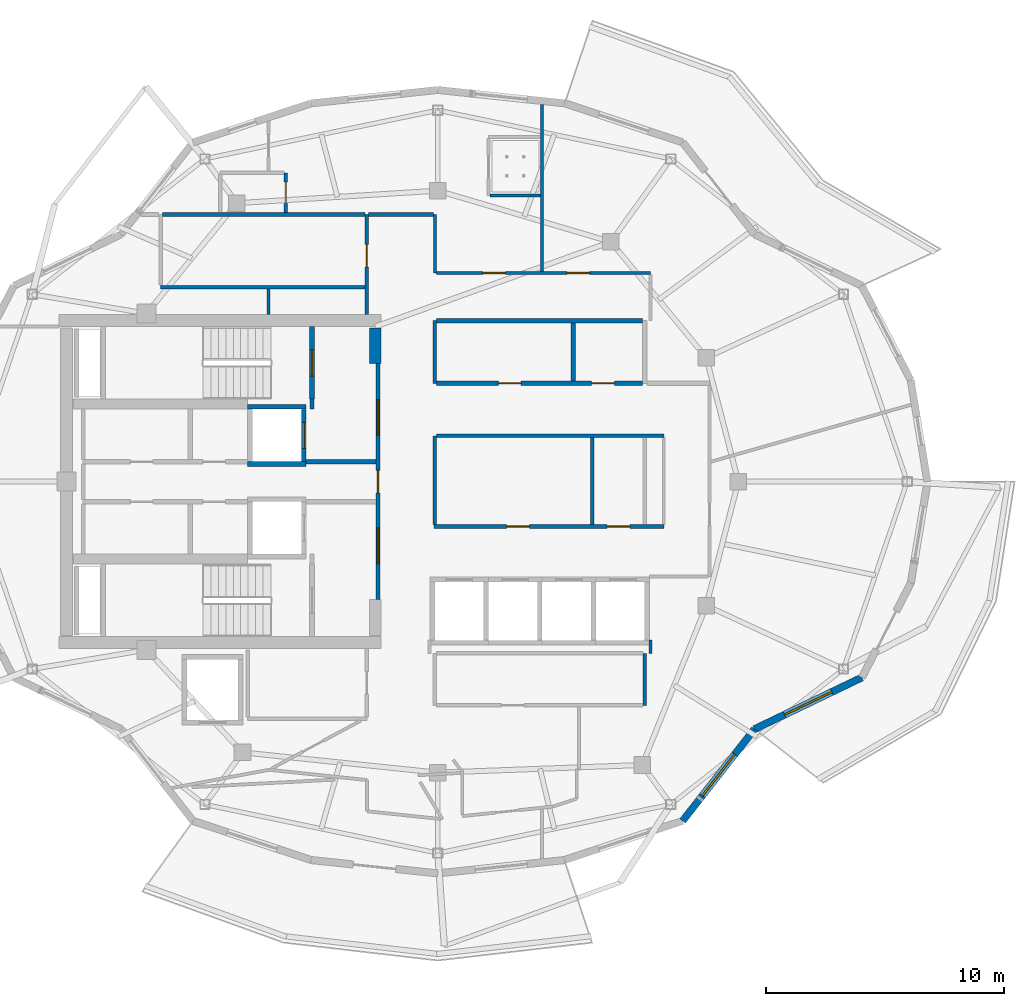
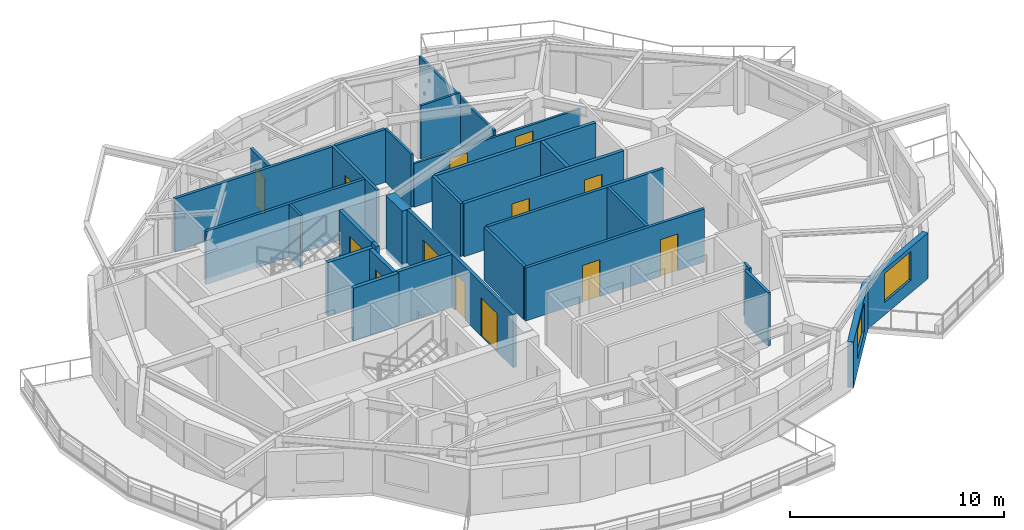
# One storey, part 5 of 11: 30 walls, 13 doors, 2 windows, 15 openings.
"""IFC4 building model written with IfcOpenShell, lengths in metres."""

from ifc_helpers import new_model, si_unit, direction, frame, frame_2d, origin, place, context, subcontext, project, spatial, rectangle, extrude, material, layer, layer_set, type_object, element, fill, save


model = new_model("IFC4")

# Units and contexts
model_context = context("Model", 3, precision=1e-05, world=origin(), true_north=direction((0.0, 1.0)))
body_context = subcontext(model_context, "Body", "Model", "MODEL_VIEW")
ifc_project = project(units=[si_unit("LENGTHUNIT", "METRE"), si_unit("AREAUNIT", "SQUARE_METRE"), si_unit("VOLUMEUNIT", "CUBIC_METRE"), si_unit("PLANEANGLEUNIT", "RADIAN"), si_unit("MASSUNIT", "GRAM", prefix="KILO")], contexts=[model_context])

# Site, building, storey
site_placement = place(None, origin())
site = spatial("IfcSite", under=ifc_project, at=site_placement, CompositionType="ELEMENT")
building_placement = place(site_placement, origin())
building = spatial("IfcBuilding", under=site, at=building_placement, Name="Kolvaren Gate Tower and Convention Centre", CompositionType="ELEMENT")
storey_placement = place(building_placement, frame((0.0, 0.0, 269.0)))
storey = spatial("IfcBuildingStorey", under=building, at=storey_placement, Name="L73", CompositionType="ELEMENT", Elevation=269.0)

# Wall
ifc_material_1 = material(Name="Autoclaved Aerated Masonry Blockwork Class 4 (4.0 MPa)", Category="masonry")
ifc_layer_1 = layer(ifc_material_1, 0.179931640625)
ifc_layer_set_1 = layer_set([ifc_layer_1], Name="Autoclaved Aerated Masonry Blockwork Class 4 (4.0 MPa)")
wall_type_1 = type_object("IfcWallType", Name="ARCH-WL-COMP-180", PredefinedType="SOLIDWALL", material=ifc_layer_set_1)
wall_1_placement = place(storey_placement, frame((24.85009765625, 30.0400390625, 0.0), z_axis=(0.0, 0.0, 1.0), x_axis=(0.0, 1.0, 0.0)))
element("IfcWall", 1, at=wall_1_placement, inside=storey, type_object=wall_type_1, Name="Interior Partition WL-L73-INT-002", PredefinedType="SOLIDWALL", context=body_context, shape_type="SweptSolid", body=[
    extrude(rectangle(XDim=0.419921875, YDim=0.179931640625, at=frame_2d((0.2099609375, 0.0))), origin(), (0.0, 0.0, 1.0), 3.030029296875),
])

# Wall, openings, doors
wall_2_placement = place(storey_placement, frame((27.6201171875, 22.050048828125, 0.0), z_axis=(0.0, 0.0, 1.0), x_axis=(0.0, 1.0, 0.0)))
wall_2 = element("IfcWall", 2, at=wall_2_placement, inside=storey, type_object=wall_type_1, Name="Interior Partition WL-L73-INT-003", PredefinedType="SOLIDWALL", context=body_context, shape_type="SweptSolid", body=[
    extrude(rectangle(XDim=9.89990234375, YDim=0.179931640625, at=frame_2d((4.949951171875, 0.0))), origin(), (0.0, 0.0, 1.0), 3.030029296875),
])
opening_1_placement = place(wall_2_placement, frame((4.47509765625, 0.0, 0.0)))
opening_1 = element("IfcOpeningElement", 3, at=opening_1_placement, cuts=wall_2, Name="Opening DR-01", PredefinedType="OPENING", context=body_context, shape_type="SweptSolid", body=[
    extrude(rectangle(XDim=0.949951171875, YDim=2.10009765625, at=frame_2d((0.47509765625, 1.050048828125))), frame((0.0, 0.099853515625, 0.0), z_axis=(0.0, -1.0, 0.0), x_axis=(1.0, 0.0, 0.0)), (0.0, 0.0, 1.0), 0.199951171875),
])
opening_2_placement = place(wall_2_placement, frame((6.889892578125, 0.0, 0.0)))
opening_2 = element("IfcOpeningElement", 4, at=opening_2_placement, cuts=wall_2, Name="Opening DL-01", PredefinedType="OPENING", context=body_context, shape_type="SweptSolid", body=[
    extrude(rectangle(XDim=1.5, YDim=2.199951171875, at=frame_2d((0.75, 1.10009765625))), frame((0.0, 0.099853515625, 0.0), z_axis=(0.0, -1.0, 0.0), x_axis=(1.0, 0.0, 0.0)), (0.0, 0.0, 1.0), 0.199951171875),
])
opening_3_placement = place(wall_2_placement, frame((1.510009765625, 0.0, 0.0)))
opening_3 = element("IfcOpeningElement", 5, at=opening_3_placement, cuts=wall_2, Name="Opening DL-01", PredefinedType="OPENING", context=body_context, shape_type="SweptSolid", body=[
    extrude(rectangle(XDim=1.5, YDim=2.199951171875, at=frame_2d((0.75, 1.10009765625))), frame((0.0, 0.099853515625, 0.0), z_axis=(0.0, -1.0, 0.0), x_axis=(1.0, 0.0, 0.0)), (0.0, 0.0, 1.0), 0.199951171875),
])
ifc_material_2 = material(Name="Painted Architectural Steelwork ASTM A500 Grade C 345 MPa", Category="steel")
door_type_1 = type_object("IfcDoorType", Name="ARCH-DR-LOBBY-1500", OperationType="DOUBLE_DOOR_SINGLE_SWING", PredefinedType="DOOR", material=ifc_material_2)
door_1_placement = place(opening_2_placement, origin())
door_1 = element("IfcDoor", 6, at=door_1_placement, inside=storey, type_object=door_type_1, Name="North Firefighting Stair and Lift Lobby Door", OperationType="DOUBLE_DOOR_SINGLE_SWING", OverallHeight=2.199951171875, OverallWidth=1.5, PredefinedType="DOOR", context=body_context, shape_type="SweptSolid", body=[
    extrude(rectangle(XDim=1.5, YDim=2.199951171875, at=frame_2d((0.75, 1.10009765625))), frame((0.0, 0.02490234375, 0.0), z_axis=(0.0, -1.0, 0.0), x_axis=(1.0, 0.0, 0.0)), (0.0, 0.0, 1.0), 0.050048828125),
])
fill(opening_2, door_1)
door_2_placement = place(opening_3_placement, origin())
door_2 = element("IfcDoor", 7, at=door_2_placement, inside=storey, type_object=door_type_1, Name="South Firefighting Stair and Lift Lobby Door", OperationType="DOUBLE_DOOR_SINGLE_SWING", OverallHeight=2.199951171875, OverallWidth=1.5, PredefinedType="DOOR", context=body_context, shape_type="SweptSolid", body=[
    extrude(rectangle(XDim=1.5, YDim=2.199951171875, at=frame_2d((0.75, 1.10009765625))), frame((0.0, 0.02490234375, 0.0), z_axis=(0.0, -1.0, 0.0), x_axis=(1.0, 0.0, 0.0)), (0.0, 0.0, 1.0), 0.050048828125),
])
fill(opening_3, door_2)
door_type_2 = type_object("IfcDoorType", Name="ARCH-DR-RISER-950", OperationType="SINGLE_SWING_RIGHT", PredefinedType="DOOR", material=ifc_material_2)
door_3_placement = place(opening_1_placement, origin())
door_3 = element("IfcDoor", 8, at=door_3_placement, inside=storey, type_object=door_type_2, Name="Central MEP Service Corridor Door", OperationType="SINGLE_SWING_LEFT", OverallHeight=2.10009765625, OverallWidth=0.949951171875, PredefinedType="DOOR", context=body_context, shape_type="SweptSolid", body=[
    extrude(rectangle(XDim=0.949951171875, YDim=2.10009765625, at=frame_2d((0.47509765625, 1.050048828125))), frame((0.0, 0.02490234375, 0.0), z_axis=(0.0, -1.0, 0.0), x_axis=(1.0, 0.0, 0.0)), (0.0, 0.0, 1.0), 0.050048828125),
])
fill(opening_1, door_3)

# Wall
wall_3_placement = place(storey_placement, frame((24.60009765625, 27.840087890625, 0.0), z_axis=(0.0, 0.0, 1.0), x_axis=(1.0, 0.0, 0.0)))
element("IfcWall", 9, at=wall_3_placement, inside=storey, type_object=wall_type_1, Name="Interior Partition WL-L73-INT-004 (2)", PredefinedType="SOLIDWALL", context=body_context, shape_type="SweptSolid", body=[
    extrude(rectangle(XDim=2.927978515625, YDim=0.179931640625, at=frame_2d((1.4638671875, 0.0))), origin(), (0.0, 0.0, 1.0), 3.030029296875),
])

# Wall, openings, doors
wall_4_placement = place(storey_placement, frame((30.076904296875, 31.1201171875, 0.0), z_axis=(0.0, 0.0, 1.0), x_axis=(1.0, 0.0, 0.0)))
wall_4 = element("IfcWall", 10, at=wall_4_placement, inside=storey, type_object=wall_type_1, Name="Interior Partition WL-L73-INT-024", PredefinedType="SOLIDWALL", context=body_context, shape_type="SweptSolid", body=[
    extrude(rectangle(XDim=8.631103515625, YDim=0.179931640625, at=frame_2d((4.3154296875, 0.0))), origin(), (0.0, 0.0, 1.0), 3.030029296875),
])
opening_4_placement = place(wall_4_placement, frame((2.591552734375, 0.0, 0.0)))
opening_4 = element("IfcOpeningElement", 11, at=opening_4_placement, cuts=wall_4, Name="Opening DR-01", PredefinedType="OPENING", context=body_context, shape_type="SweptSolid", body=[
    extrude(rectangle(XDim=0.949951171875, YDim=2.10009765625, at=frame_2d((0.47509765625, 1.050048828125))), frame((0.0, 0.099853515625, 0.0), z_axis=(0.0, -1.0, 0.0), x_axis=(1.0, 0.0, 0.0)), (0.0, 0.0, 1.0), 0.199951171875),
])
opening_5_placement = place(wall_4_placement, frame((6.4970703125, 0.0, 0.0)))
opening_5 = element("IfcOpeningElement", 12, at=opening_5_placement, cuts=wall_4, Name="Opening DR-01", PredefinedType="OPENING", context=body_context, shape_type="SweptSolid", body=[
    extrude(rectangle(XDim=0.949951171875, YDim=2.10009765625, at=frame_2d((0.47509765625, 1.050048828125))), frame((0.0, 0.099853515625, 0.0), z_axis=(0.0, -1.0, 0.0), x_axis=(1.0, 0.0, 0.0)), (0.0, 0.0, 1.0), 0.199951171875),
])
door_4_placement = place(opening_4_placement, origin())
door_4 = element("IfcDoor", 13, at=door_4_placement, inside=storey, type_object=door_type_2, Name="Steward Supply Store Door", OperationType="SINGLE_SWING_LEFT", OverallHeight=2.10009765625, OverallWidth=0.949951171875, PredefinedType="DOOR", context=body_context, shape_type="SweptSolid", body=[
    extrude(rectangle(XDim=0.949951171875, YDim=2.10009765625, at=frame_2d((0.47509765625, 1.050048828125))), frame((0.0, 0.02490234375, 0.0), z_axis=(0.0, -1.0, 0.0), x_axis=(1.0, 0.0, 0.0)), (0.0, 0.0, 1.0), 0.050048828125),
])
fill(opening_4, door_4)
door_5_placement = place(opening_5_placement, origin())
door_5 = element("IfcDoor", 14, at=door_5_placement, inside=storey, type_object=door_type_2, Name="Floor Telecom Switch Room Door", OperationType="SINGLE_SWING_RIGHT", OverallHeight=2.10009765625, OverallWidth=0.949951171875, PredefinedType="DOOR", context=body_context, shape_type="SweptSolid", body=[
    extrude(rectangle(XDim=0.949951171875, YDim=2.10009765625, at=frame_2d((0.47509765625, 1.050048828125))), frame((0.0, 0.02490234375, 0.0), z_axis=(0.0, -1.0, 0.0), x_axis=(1.0, 0.0, 0.0)), (0.0, 0.0, 1.0), 0.050048828125),
])
fill(opening_5, door_5)

# Walls
wall_5_placement = place(storey_placement, frame((30.076904296875, 33.75, 0.0), z_axis=(0.0, 0.0, 1.0), x_axis=(1.0, 0.0, 0.0)))
element("IfcWall", 15, at=wall_5_placement, inside=storey, type_object=wall_type_1, Name="Interior Partition WL-L73-INT-025", PredefinedType="SOLIDWALL", context=body_context, shape_type="SweptSolid", body=[
    extrude(rectangle(XDim=8.631103515625, YDim=0.179931640625, at=frame_2d((4.3154296875, 0.0))), origin(), (0.0, 0.0, 1.0), 3.030029296875),
])
wall_6_placement = place(storey_placement, frame((35.800048828125, 31.2119140625, 0.0), z_axis=(0.0, 0.0, 1.0), x_axis=(0.0, 1.0, 0.0)))
element("IfcWall", 16, at=wall_6_placement, inside=storey, type_object=wall_type_1, Name="Interior Partition WL-L73-INT-026", PredefinedType="SOLIDWALL", context=body_context, shape_type="SweptSolid", body=[
    extrude(rectangle(XDim=2.446044921875, YDim=0.179931640625, at=frame_2d((1.22314453125, 0.0))), origin(), (0.0, 0.0, 1.0), 3.030029296875),
])
ifc_material_3 = material(Name="Fire-Rated Acoustic Gypsum Stud Partition", Category="gypsum")
ifc_layer_2 = layer(ifc_material_3, 0.1201171875)
ifc_layer_set_2 = layer_set([ifc_layer_2], Name="Fire-Rated Acoustic Gypsum Stud Partition")
wall_type_2 = type_object("IfcWallType", Name="ARCH-WL-PART-120", PredefinedType="PARTITIONING", material=ifc_layer_set_2)
wall_7_placement = place(storey_placement, frame((30.0, 35.75, 0.0), z_axis=(0.0, 0.0, 1.0), x_axis=(0.0, 1.0, 0.0)))
element("IfcWall", 17, at=wall_7_placement, inside=storey, type_object=wall_type_2, Name="Interior Partition WL-L73-INT-018", PredefinedType="PARTITIONING", context=body_context, shape_type="SweptSolid", body=[
    extrude(rectangle(XDim=2.449951171875, YDim=0.1201171875, at=frame_2d((1.22509765625, 0.0))), origin(), (0.0, 0.0, 1.0), 3.030029296875),
])

# Wall, openings, doors
wall_8_placement = place(storey_placement, frame((30.06201171875, 35.75, 0.0), z_axis=(0.0, 0.0, 1.0), x_axis=(1.0, 0.0, 0.0)))
wall_8 = element("IfcWall", 18, at=wall_8_placement, inside=storey, type_object=wall_type_2, Name="Interior Partition WL-L73-INT-032", PredefinedType="PARTITIONING", context=body_context, shape_type="SweptSolid", body=[
    extrude(rectangle(XDim=8.988037109375, YDim=0.1201171875, at=frame_2d((4.494140625, 0.0))), origin(), (0.0, 0.0, 1.0), 2.47802734375),
])
opening_6_placement = place(wall_8_placement, frame((5.472900390625, 0.0, 0.0)))
opening_6 = element("IfcOpeningElement", 19, at=opening_6_placement, cuts=wall_8, Name="Opening DR-01", PredefinedType="OPENING", context=body_context, shape_type="SweptSolid", body=[
    extrude(rectangle(XDim=0.949951171875, YDim=2.10009765625, at=frame_2d((0.47509765625, 1.050048828125))), frame((0.0, 0.070068359375, 0.0), z_axis=(0.0, -1.0, 0.0), x_axis=(1.0, 0.0, 0.0)), (0.0, 0.0, 1.0), 0.14013671875),
])
opening_7_placement = place(wall_8_placement, frame((1.948974609375, 0.0, 0.0)))
opening_7 = element("IfcOpeningElement", 20, at=opening_7_placement, cuts=wall_8, Name="Opening DR-01", PredefinedType="OPENING", context=body_context, shape_type="SweptSolid", body=[
    extrude(rectangle(XDim=0.949951171875, YDim=2.10009765625, at=frame_2d((0.47509765625, 1.050048828125))), frame((0.0, 0.070068359375, 0.0), z_axis=(0.0, -1.0, 0.0), x_axis=(1.0, 0.0, 0.0)), (0.0, 0.0, 1.0), 0.14013671875),
])
door_6_placement = place(opening_6_placement, origin())
door_6 = element("IfcDoor", 21, at=door_6_placement, inside=storey, type_object=door_type_2, Name="Resident Private Study and Home Office Door", OperationType="SINGLE_SWING_RIGHT", OverallHeight=2.10009765625, OverallWidth=0.949951171875, PredefinedType="DOOR", context=body_context, shape_type="SweptSolid", body=[
    extrude(rectangle(XDim=0.949951171875, YDim=2.10009765625, at=frame_2d((0.47509765625, 1.050048828125))), frame((0.0, 0.02490234375, 0.0), z_axis=(0.0, -1.0, 0.0), x_axis=(1.0, 0.0, 0.0)), (0.0, 0.0, 1.0), 0.050048828125),
])
fill(opening_6, door_6)
door_7_placement = place(opening_7_placement, origin())
door_7 = element("IfcDoor", 22, at=door_7_placement, inside=storey, type_object=door_type_2, Name="Sky Villa Living and Dining Room (APT-L73-01) Door", OperationType="SINGLE_SWING_LEFT", OverallHeight=2.10009765625, OverallWidth=0.949951171875, PredefinedType="DOOR", context=body_context, shape_type="SweptSolid", body=[
    extrude(rectangle(XDim=0.949951171875, YDim=2.10009765625, at=frame_2d((0.47509765625, 1.050048828125))), frame((0.0, 0.02490234375, 0.0), z_axis=(0.0, -1.0, 0.0), x_axis=(1.0, 0.0, 0.0)), (0.0, 0.0, 1.0), 0.050048828125),
])
fill(opening_7, door_7)

# Walls
wall_9_placement = place(storey_placement, frame((39.050048828125, 19.800048828125, 0.0), z_axis=(0.0, 0.0, 1.0), x_axis=(0.0, 1.0, 0.0)))
element("IfcWall", 23, at=wall_9_placement, inside=storey, type_object=wall_type_2, Name="Interior Partition WL-L73-INT-033", PredefinedType="PARTITIONING", context=body_context, shape_type="SweptSolid", body=[
    extrude(rectangle(XDim=0.56005859375, YDim=0.1201171875, at=frame_2d((0.280029296875, 0.0))), origin(), (0.0, 0.0, 1.0), 3.030029296875),
])
wall_10_placement = place(storey_placement, frame((34.5, 35.81201171875, 0.0), z_axis=(0.0, 0.0, 1.0), x_axis=(0.0, 1.0, 0.0)))
element("IfcWall", 24, at=wall_10_placement, inside=storey, type_object=wall_type_2, Name="Interior Partition WL-L73-INT-054", PredefinedType="PARTITIONING", context=body_context, shape_type="SweptSolid", body=[
    extrude(rectangle(XDim=6.999267578125, YDim=0.1201171875, at=frame_2d((3.49951171875, 0.0))), origin(), (0.0, 0.0, 1.0), 2.77001953125),
])
wall_11_placement = place(storey_placement, frame((32.31201171875, 39.0, 0.0), z_axis=(0.0, 0.0, 1.0), x_axis=(1.0, 0.0, 0.0)))
element("IfcWall", 25, at=wall_11_placement, inside=storey, type_object=wall_type_2, Name="Interior Partition WL-L73-INT-058", PredefinedType="PARTITIONING", context=body_context, shape_type="SweptSolid", body=[
    extrude(rectangle(XDim=2.1259765625, YDim=0.1201171875, at=frame_2d((1.06298828125, 0.0))), origin(), (0.0, 0.0, 1.0), 3.030029296875),
])
wall_12_placement = place(storey_placement, frame((23.02392578125, 34.001953125, 0.0), z_axis=(0.0, 0.0, 1.0), x_axis=(0.0, 1.0, 0.0)))
element("IfcWall", 26, at=wall_12_placement, inside=storey, type_object=wall_type_2, Name="Interior Partition WL-L73-INT-061", PredefinedType="PARTITIONING", context=body_context, shape_type="SweptSolid", body=[
    extrude(rectangle(XDim=1.0810546875, YDim=0.1201171875, at=frame_2d((0.54052734375, 0.0))), origin(), (0.0, 0.0, 1.0), 3.030029296875),
])
ifc_layer_3 = layer(ifc_material_1, 0.199951171875)
ifc_layer_set_3 = layer_set([ifc_layer_3], Name="Autoclaved Aerated Masonry Blockwork Class 4 (4.0 MPa)")
wall_type_3 = type_object("IfcWallType", Name="ARCH-WL-SHAFT-200", PredefinedType="SOLIDWALL", material=ifc_layer_set_3)
for number, where, z_axis, x_axis, name in (
    (27, (22.14990234375, 30.139892578125, 0.0), (0.0, 0.0, 1.0), (1.0, 0.0, 0.0), "Elevator FF-01 L73 Fire Shaft Wall N"),
    (28, (22.14990234375, 27.739990234375, 0.0), (0.0, 0.0, 1.0), (1.0, 0.0, 0.0), "Elevator FF-01 L73 Fire Shaft Wall S"),
):
    element("IfcWall", number, at=place(storey_placement, frame(where, z_axis=z_axis, x_axis=x_axis)), inside=storey, type_object=wall_type_3, Name=name, PredefinedType="SOLIDWALL", context=body_context, shape_type="SweptSolid", body=[
        extrude(rectangle(XDim=2.4501953125, YDim=0.199951171875, at=frame_2d((1.22509765625, 0.0))), origin(), (0.0, 0.0, 1.0), 3.030029296875),
    ])

# Wall, opening, door
wall_13_placement = place(storey_placement, frame((24.5, 27.85009765625, 0.0), z_axis=(0.0, 0.0, 1.0), x_axis=(0.0, 1.0, 0.0)))
wall_13 = element("IfcWall", 29, at=wall_13_placement, inside=storey, type_object=wall_type_3, Name="Elevator FF-01 L73 Fire Shaft Wall E", PredefinedType="SOLIDWALL", context=body_context, shape_type="SweptSolid", body=[
    extrude(rectangle(XDim=2.179931640625, YDim=0.199951171875, at=frame_2d((1.08984375, 0.0))), origin(), (0.0, 0.0, 1.0), 3.030029296875),
])
opening_8_placement = place(wall_13_placement, frame((0.5400390625, 0.0, 0.0)))
opening_8 = element("IfcOpeningElement", 30, at=opening_8_placement, cuts=wall_13, Name="Opening LD", PredefinedType="OPENING", context=body_context, shape_type="SweptSolid", body=[
    extrude(rectangle(XDim=1.10009765625, YDim=2.199951171875, at=frame_2d((0.550048828125, 1.10009765625))), frame((0.0, 0.10986328125, 0.0), z_axis=(0.0, -1.0, 0.0), x_axis=(1.0, 0.0, 0.0)), (0.0, 0.0, 1.0), 0.219970703125),
])
ifc_material_4 = material(Name="Brushed Stainless Steel Grade 316L", Category="steel")
door_type_3 = type_object("IfcDoorType", Name="ARCH-DR-LIFT-1100", OperationType="SLIDING_TO_LEFT", PredefinedType="DOOR", material=ifc_material_4)
door_8_placement = place(opening_8_placement, origin())
door_8 = element("IfcDoor", 31, at=door_8_placement, inside=storey, type_object=door_type_3, Name="Elevator FF-01 L73 Sliding Landing Door", OperationType="SLIDING_TO_LEFT", OverallHeight=2.199951171875, OverallWidth=1.10009765625, PredefinedType="DOOR", context=body_context, shape_type="SweptSolid", body=[
    extrude(rectangle(XDim=1.10009765625, YDim=2.199951171875, at=frame_2d((0.550048828125, 1.10009765625))), frame((0.0, 0.02490234375, 0.0), z_axis=(0.0, -1.0, 0.0), x_axis=(1.0, 0.0, 0.0)), (0.0, 0.0, 1.0), 0.050048828125),
])
fill(opening_8, door_8)

# Wall, opening, window
ifc_material_5 = material(Name="Piedmont Cream Honed Limestone Cladding", Category="masonry")
ifc_layer_4 = layer(ifc_material_5, 0.300048828125)
ifc_layer_set_4 = layer_set([ifc_layer_4], Name="Piedmont Cream Honed Limestone Cladding")
wall_type_4 = type_object("IfcWallType", Name="ARCH-WL-STONE-300", PredefinedType="SOLIDWALL", material=ifc_layer_set_4)
wall_14_placement = place(storey_placement, frame((40.390625, 12.775390625, 0.0), z_axis=(0.0, 0.0, 1.0), x_axis=(0.616413297421, 0.78742278781, 0.0)))
wall_14 = element("IfcWall", 32, at=wall_14_placement, inside=storey, type_object=wall_type_4, Name="Tower L73 Honed Stone Spandrel Wall EW-20", PredefinedType="SOLIDWALL", context=body_context, shape_type="SweptSolid", body=[
    extrude(rectangle(XDim=4.88818359375, YDim=0.300048828125, at=frame_2d((2.444091796875, 0.0))), origin(), (0.0, 0.0, 1.0), 2.60498046875),
])
opening_9_placement = place(wall_14_placement, frame((1.343994140625, 0.0, 0.719970703125)))
opening_9 = element("IfcOpeningElement", 33, at=opening_9_placement, cuts=wall_14, Name="Opening W-03", PredefinedType="OPENING", context=body_context, shape_type="SweptSolid", body=[
    extrude(rectangle(XDim=2.199951171875, YDim=1.64990234375, at=frame_2d((1.10009765625, 0.824951171875))), frame((0.0, 0.159912109375, 0.0), z_axis=(0.0, -1.0, 0.0), x_axis=(1.0, 0.0, 0.0)), (0.0, 0.0, 1.0), 0.320068359375),
])
ifc_material_6 = material(Name="Low-E Triple Insulated Glazing Unit 44 mm", Category="glass")
window_type = type_object("IfcWindowType", Name="ARCH-WN-RES-2200", PartitioningType="SINGLE_PANEL", PredefinedType="WINDOW", material=ifc_material_6)
window_1_placement = place(opening_9_placement, origin())
window_1 = element("IfcWindow", 34, at=window_1_placement, inside=storey, type_object=window_type, Name="Tower L73 Punched Stone Facade Window W-20", OverallHeight=1.64990234375, OverallWidth=2.199951171875, PartitioningType="SINGLE_PANEL", PredefinedType="WINDOW", context=body_context, shape_type="SweptSolid", body=[
    extrude(rectangle(XDim=2.199951171875, YDim=1.64990234375, at=frame_2d((1.10009765625, 0.824951171875))), frame((0.0, 0.030029296875, 0.0), z_axis=(0.0, -1.0, 0.0), x_axis=(1.0, 0.0, 0.0)), (0.0, 0.0, 1.0), 0.06005859375),
])
fill(opening_9, window_1)

wall_15_placement = place(storey_placement, frame((43.40380859375, 16.62451171875, 0.0), z_axis=(0.0, 0.0, 1.0), x_axis=(0.901346013132, 0.433099716706, 0.0)))
wall_15 = element("IfcWall", 35, at=wall_15_placement, inside=storey, type_object=wall_type_4, Name="Tower L73 Honed Stone Spandrel Wall EW-21", PredefinedType="SOLIDWALL", context=body_context, shape_type="SweptSolid", body=[
    extrude(rectangle(XDim=4.994384765625, YDim=0.300048828125, at=frame_2d((2.4970703125, 0.0))), origin(), (0.0, 0.0, 1.0), 2.60498046875),
])
opening_10_placement = place(wall_15_placement, frame((1.39697265625, 0.0, 0.719970703125)))
opening_10 = element("IfcOpeningElement", 36, at=opening_10_placement, cuts=wall_15, Name="Opening W-03", PredefinedType="OPENING", context=body_context, shape_type="SweptSolid", body=[
    extrude(rectangle(XDim=2.199951171875, YDim=1.64990234375, at=frame_2d((1.10009765625, 0.824951171875))), frame((0.0, 0.159912109375, 0.0), z_axis=(0.0, -1.0, 0.0), x_axis=(1.0, 0.0, 0.0)), (0.0, 0.0, 1.0), 0.320068359375),
])
window_2_placement = place(opening_10_placement, origin())
window_2 = element("IfcWindow", 37, at=window_2_placement, inside=storey, type_object=window_type, Name="Tower L73 Punched Stone Facade Window W-21", OverallHeight=1.64990234375, OverallWidth=2.199951171875, PartitioningType="SINGLE_PANEL", PredefinedType="WINDOW", context=body_context, shape_type="SweptSolid", body=[
    extrude(rectangle(XDim=2.199951171875, YDim=1.64990234375, at=frame_2d((1.10009765625, 0.824951171875))), frame((0.0, 0.030029296875, 0.0), z_axis=(0.0, -1.0, 0.0), x_axis=(1.0, 0.0, 0.0)), (0.0, 0.0, 1.0), 0.06005859375),
])
fill(opening_10, window_2)

# Wall, opening, door
ifc_material_7 = material(Name="Moisture-Resistant Cement-Board Acoustic Partition", Category="gypsum")
ifc_layer_5 = layer(ifc_material_7, 0.14990234375)
ifc_layer_set_5 = layer_set([ifc_layer_5], Name="Moisture-Resistant Cement-Board Acoustic Partition")
wall_type_5 = type_object("IfcWallType", Name="ARCH-WL-WET-150", PredefinedType="PARTITIONING", material=ifc_layer_set_5)
wall_16_placement = place(storey_placement, frame((27.14990234375, 34.001953125, 0.0), z_axis=(0.0, 0.0, 1.0), x_axis=(0.0, 1.0, 0.0)))
wall_16 = element("IfcWall", 38, at=wall_16_placement, inside=storey, type_object=wall_type_5, Name="Interior Partition WL-L73-INT-013", PredefinedType="PARTITIONING", context=body_context, shape_type="SweptSolid", body=[
    extrude(rectangle(XDim=4.197998046875, YDim=0.14990234375, at=frame_2d((2.09912109375, 0.0))), origin(), (0.0, 0.0, 1.0), 3.030029296875),
])
opening_11_placement = place(wall_16_placement, frame((1.998046875, 0.0, 0.0)))
opening_11 = element("IfcOpeningElement", 39, at=opening_11_placement, cuts=wall_16, Name="Opening DR-01", PredefinedType="OPENING", context=body_context, shape_type="SweptSolid", body=[
    extrude(rectangle(XDim=0.949951171875, YDim=2.10009765625, at=frame_2d((0.47509765625, 1.050048828125))), frame((0.0, 0.0849609375, 0.0), z_axis=(0.0, -1.0, 0.0), x_axis=(1.0, 0.0, 0.0)), (0.0, 0.0, 1.0), 0.169921875),
])
door_9_placement = place(opening_11_placement, origin())
door_9 = element("IfcDoor", 40, at=door_9_placement, inside=storey, type_object=door_type_2, Name="Reclaimed North Resident Store Door", OperationType="SINGLE_SWING_RIGHT", OverallHeight=2.10009765625, OverallWidth=0.949951171875, PredefinedType="DOOR", context=body_context, shape_type="SweptSolid", body=[
    extrude(rectangle(XDim=0.949951171875, YDim=2.10009765625, at=frame_2d((0.47509765625, 1.050048828125))), frame((0.0, 0.02490234375, 0.0), z_axis=(0.0, -1.0, 0.0), x_axis=(1.0, 0.0, 0.0)), (0.0, 0.0, 1.0), 0.050048828125),
])
fill(opening_11, door_9)

# Wall, openings, doors
wall_17_placement = place(storey_placement, frame((29.9599609375, 25.1201171875, 0.0), z_axis=(0.0, 0.0, 1.0), x_axis=(1.0, 0.0, 0.0)))
wall_17 = element("IfcWall", 41, at=wall_17_placement, inside=storey, type_object=wall_type_5, Name="Interior Partition WL-L73-INT-014", PredefinedType="PARTITIONING", context=body_context, shape_type="SweptSolid", body=[
    extrude(rectangle(XDim=9.64013671875, YDim=0.14990234375, at=frame_2d((4.820068359375, 0.0))), origin(), (0.0, 0.0, 1.0), 3.030029296875),
])
opening_12_placement = place(wall_17_placement, frame((3.050048828125, 0.0, 0.0)))
opening_12 = element("IfcOpeningElement", 42, at=opening_12_placement, cuts=wall_17, Name="Opening DR-01", PredefinedType="OPENING", context=body_context, shape_type="SweptSolid", body=[
    extrude(rectangle(XDim=0.949951171875, YDim=2.10009765625, at=frame_2d((0.47509765625, 1.050048828125))), frame((0.0, 0.0849609375, 0.0), z_axis=(0.0, -1.0, 0.0), x_axis=(1.0, 0.0, 0.0)), (0.0, 0.0, 1.0), 0.169921875),
])
opening_13_placement = place(wall_17_placement, frame((7.264892578125, 0.0, 0.0)))
opening_13 = element("IfcOpeningElement", 43, at=opening_13_placement, cuts=wall_17, Name="Opening DR-01", PredefinedType="OPENING", context=body_context, shape_type="SweptSolid", body=[
    extrude(rectangle(XDim=0.949951171875, YDim=2.10009765625, at=frame_2d((0.47509765625, 1.050048828125))), frame((0.0, 0.0849609375, 0.0), z_axis=(0.0, -1.0, 0.0), x_axis=(1.0, 0.0, 0.0)), (0.0, 0.0, 1.0), 0.169921875),
])
door_10_placement = place(opening_12_placement, origin())
door_10 = element("IfcDoor", 44, at=door_10_placement, inside=storey, type_object=door_type_2, Name="Accessible Universal Washroom Door", OperationType="SINGLE_SWING_LEFT", OverallHeight=2.10009765625, OverallWidth=0.949951171875, PredefinedType="DOOR", context=body_context, shape_type="SweptSolid", body=[
    extrude(rectangle(XDim=0.949951171875, YDim=2.10009765625, at=frame_2d((0.47509765625, 1.050048828125))), frame((0.0, 0.02490234375, 0.0), z_axis=(0.0, -1.0, 0.0), x_axis=(1.0, 0.0, 0.0)), (0.0, 0.0, 1.0), 0.050048828125),
])
fill(opening_12, door_10)
door_11_placement = place(opening_13_placement, origin())
door_11 = element("IfcDoor", 45, at=door_11_placement, inside=storey, type_object=door_type_2, Name="Floor Janitor and Supply Store Door", OperationType="SINGLE_SWING_RIGHT", OverallHeight=2.10009765625, OverallWidth=0.949951171875, PredefinedType="DOOR", context=body_context, shape_type="SweptSolid", body=[
    extrude(rectangle(XDim=0.949951171875, YDim=2.10009765625, at=frame_2d((0.47509765625, 1.050048828125))), frame((0.0, 0.02490234375, 0.0), z_axis=(0.0, -1.0, 0.0), x_axis=(1.0, 0.0, 0.0)), (0.0, 0.0, 1.0), 0.050048828125),
])
fill(opening_13, door_11)

# Walls
wall_18_placement = place(storey_placement, frame((30.0, 25.197021484375, 0.0), z_axis=(0.0, 0.0, 1.0), x_axis=(0.0, 1.0, 0.0)))
element("IfcWall", 46, at=wall_18_placement, inside=storey, type_object=wall_type_5, Name="Interior Partition WL-L73-INT-016", PredefinedType="PARTITIONING", context=body_context, shape_type="SweptSolid", body=[
    extrude(rectangle(XDim=3.722900390625, YDim=0.14990234375, at=frame_2d((1.861328125, 0.0))), origin(), (0.0, 0.0, 1.0), 3.030029296875),
])
wall_19_placement = place(storey_placement, frame((30.0, 31.1201171875, 0.0), z_axis=(0.0, 0.0, 1.0), x_axis=(0.0, 1.0, 0.0)))
element("IfcWall", 47, at=wall_19_placement, inside=storey, type_object=wall_type_5, Name="Interior Partition WL-L73-INT-017", PredefinedType="PARTITIONING", context=body_context, shape_type="SweptSolid", body=[
    extrude(rectangle(XDim=2.6298828125, YDim=0.14990234375, at=frame_2d((1.31494140625, 0.0))), origin(), (0.0, 0.0, 1.0), 3.030029296875),
])
wall_20_placement = place(storey_placement, frame((30.076904296875, 28.919921875, 0.0), z_axis=(0.0, 0.0, 1.0), x_axis=(1.0, 0.0, 0.0)))
element("IfcWall", 48, at=wall_20_placement, inside=storey, type_object=wall_type_5, Name="Interior Partition WL-L73-INT-019", PredefinedType="PARTITIONING", context=body_context, shape_type="SweptSolid", body=[
    extrude(rectangle(XDim=9.523193359375, YDim=0.14990234375, at=frame_2d((4.76171875, 0.0))), origin(), (0.0, 0.0, 1.0), 3.030029296875),
])
wall_21_placement = place(storey_placement, frame((36.60009765625, 25.197021484375, 0.0), z_axis=(0.0, 0.0, 1.0), x_axis=(0.0, 1.0, 0.0)))
element("IfcWall", 49, at=wall_21_placement, inside=storey, type_object=wall_type_5, Name="Interior Partition WL-L73-INT-020", PredefinedType="PARTITIONING", context=body_context, shape_type="SweptSolid", body=[
    extrude(rectangle(XDim=3.64599609375, YDim=0.14990234375, at=frame_2d((1.822998046875, 0.0))), origin(), (0.0, 0.0, 1.0), 3.030029296875),
])
wall_22_placement = place(storey_placement, frame((38.800048828125, 17.6201171875, 0.0), z_axis=(0.0, 0.0, 1.0), x_axis=(0.0, 1.0, 0.0)))
element("IfcWall", 50, at=wall_22_placement, inside=storey, type_object=wall_type_5, Name="Interior Partition WL-L73-INT-021", PredefinedType="PARTITIONING", context=body_context, shape_type="SweptSolid", body=[
    extrude(rectangle(XDim=2.179931640625, YDim=0.14990234375, at=frame_2d((1.08984375, 0.0))), origin(), (0.0, 0.0, 1.0), 3.030029296875),
])
wall_23_placement = place(storey_placement, frame((18.5, 35.159912109375, 0.0), z_axis=(0.0, 0.0, 1.0), x_axis=(1.0, 0.0, 0.0)))
element("IfcWall", 51, at=wall_23_placement, inside=storey, type_object=wall_type_5, Name="Interior Partition WL-L73-INT-029", PredefinedType="PARTITIONING", context=body_context, shape_type="SweptSolid", body=[
    extrude(rectangle(XDim=8.572998046875, YDim=0.14990234375, at=frame_2d((4.28662109375, 0.0))), origin(), (0.0, 0.0, 1.0), 3.030029296875),
])
wall_24_placement = place(storey_placement, frame((18.576904296875, 38.199951171875, 0.0), z_axis=(0.0, 0.0, 1.0), x_axis=(1.0, 0.0, 0.0)))
element("IfcWall", 52, at=wall_24_placement, inside=storey, type_object=wall_type_5, Name="Interior Partition WL-L73-INT-031 (2)", PredefinedType="PARTITIONING", context=body_context, shape_type="SweptSolid", body=[
    extrude(rectangle(XDim=8.49609375, YDim=0.14990234375, at=frame_2d((4.248046875, 0.0))), origin(), (0.0, 0.0, 1.0), 3.030029296875),
])
wall_25_placement = place(storey_placement, frame((27.22705078125, 38.199951171875, 0.0), z_axis=(0.0, 0.0, 1.0), x_axis=(1.0, 0.0, 0.0)))
element("IfcWall", 53, at=wall_25_placement, inside=storey, type_object=wall_type_5, Name="Interior Partition WL-L73-INT-031 (3)", PredefinedType="PARTITIONING", context=body_context, shape_type="SweptSolid", body=[
    extrude(rectangle(XDim=2.7109375, YDim=0.14990234375, at=frame_2d((1.35546875, 0.0))), origin(), (0.0, 0.0, 1.0), 3.030029296875),
])

# Wall, opening, door
wall_26_placement = place(storey_placement, frame((23.75, 38.277099609375, 0.0), z_axis=(0.0, 0.0, 1.0), x_axis=(0.0, 1.0, 0.0)))
wall_26 = element("IfcWall", 54, at=wall_26_placement, inside=storey, type_object=wall_type_5, Name="Interior Partition WL-L73-INT-059", PredefinedType="PARTITIONING", context=body_context, shape_type="SweptSolid", body=[
    extrude(rectangle(XDim=1.6728515625, YDim=0.14990234375, at=frame_2d((0.83642578125, 0.0))), origin(), (0.0, 0.0, 1.0), 3.030029296875),
])
opening_14_placement = place(wall_26_placement, frame((0.386474609375, 0.0, 0.0)))
opening_14 = element("IfcOpeningElement", 55, at=opening_14_placement, cuts=wall_26, Name="Opening DW-01", PredefinedType="OPENING", context=body_context, shape_type="SweptSolid", body=[
    extrude(rectangle(XDim=0.89990234375, YDim=2.10009765625, at=frame_2d((0.449951171875, 1.050048828125))), frame((0.0, 0.0849609375, 0.0), z_axis=(0.0, -1.0, 0.0), x_axis=(1.0, 0.0, 0.0)), (0.0, 0.0, 1.0), 0.169921875),
])
ifc_material_8 = material(Name="FSC Andean Oak Engineered Veneer Door Leaf", Category="wood")
door_type_4 = type_object("IfcDoorType", Name="ARCH-DR-WC-900", OperationType="SINGLE_SWING_RIGHT", PredefinedType="DOOR", material=ifc_material_8)
door_12_placement = place(opening_14_placement, origin())
door_12 = element("IfcDoor", 56, at=door_12_placement, inside=storey, type_object=door_type_4, Name="Apartment Bathroom (APT-L73-01) Door", OperationType="SINGLE_SWING_LEFT", OverallHeight=2.10009765625, OverallWidth=0.89990234375, PredefinedType="DOOR", context=body_context, shape_type="SweptSolid", body=[
    extrude(rectangle(XDim=0.89990234375, YDim=2.10009765625, at=frame_2d((0.449951171875, 1.050048828125))), frame((0.0, 0.02490234375, 0.0), z_axis=(0.0, -1.0, 0.0), x_axis=(1.0, 0.0, 0.0)), (0.0, 0.0, 1.0), 0.050048828125),
])
fill(opening_14, door_12)

# Wall
ifc_material_9 = material(Name="Concrete C50/60", Category="concrete")
ifc_layer_6 = layer(ifc_material_9, 0.5)
ifc_layer_set_6 = layer_set([ifc_layer_6], Name="Concrete C50/60")
wall_type_6 = type_object("IfcWallType", Name="STR-WL-CORE-500", PredefinedType="SHEAR", material=ifc_layer_set_6)
wall_27_placement = place(storey_placement, frame((27.5, 31.949951171875, -0.27001953125), z_axis=(0.0, 0.0, 1.0), x_axis=(0.0, 1.0, 0.0)))
element("IfcWall", 57, at=wall_27_placement, inside=storey, type_object=wall_type_6, Name="Tower L73 Offset Core Shear Wall EN", PredefinedType="SHEAR", context=body_context, shape_type="SweptSolid", body=[
    extrude(rectangle(XDim=1.5, YDim=0.5, at=frame_2d((0.75, 0.0))), origin(), (0.0, 0.0, 1.0), 3.300048828125),
])

# Wall, opening, door
ifc_layer_7 = layer(ifc_material_9, 0.199951171875)
ifc_layer_set_7 = layer_set([ifc_layer_7], Name="Concrete C50/60")
wall_type_7 = type_object("IfcWallType", Name="STR-WL-SHAFT-200", PredefinedType="SHEAR", material=ifc_layer_set_7)
wall_28_placement = place(storey_placement, frame((24.85009765625, 30.4599609375, -0.27001953125), z_axis=(0.0, 0.0, 1.0), x_axis=(0.0, 1.0, 0.0)))
wall_28 = element("IfcWall", 58, at=wall_28_placement, inside=storey, type_object=wall_type_7, Name="Tower North Exit Stair ST-T1 L73 Structural Shear Enclosure Wall NEAR", PredefinedType="SHEAR", context=body_context, shape_type="SweptSolid", body=[
    extrude(rectangle(XDim=3.0380859375, YDim=0.199951171875, at=frame_2d((1.51904296875, 0.0))), origin(), (0.0, 0.0, 1.0), 3.300048828125),
])
opening_15_placement = place(wall_28_placement, frame((0.968994140625, 0.0, 0.27001953125)))
opening_15 = element("IfcOpeningElement", 59, at=opening_15_placement, cuts=wall_28, Name="Opening DS-01", PredefinedType="OPENING", context=body_context, shape_type="SweptSolid", body=[
    extrude(rectangle(XDim=1.10009765625, YDim=2.14990234375, at=frame_2d((0.550048828125, 1.074951171875))), frame((0.0, 0.10986328125, 0.0), z_axis=(0.0, -1.0, 0.0), x_axis=(1.0, 0.0, 0.0)), (0.0, 0.0, 1.0), 0.219970703125),
])
door_type_5 = type_object("IfcDoorType", Name="ARCH-DR-STAIR-1100", OperationType="SINGLE_SWING_LEFT", PredefinedType="DOOR", material=ifc_material_2)
door_13_placement = place(opening_15_placement, origin())
door_13 = element("IfcDoor", 60, at=door_13_placement, inside=storey, type_object=door_type_5, Name="Tower North Exit Stair ST-T1 L73 Fire Exit Stair Door", OperationType="SINGLE_SWING_LEFT", OverallHeight=2.14990234375, OverallWidth=1.10009765625, PredefinedType="DOOR", context=body_context, shape_type="SweptSolid", body=[
    extrude(rectangle(XDim=1.10009765625, YDim=2.14990234375, at=frame_2d((0.550048828125, 1.074951171875))), frame((0.0, 0.02490234375, 0.0), z_axis=(0.0, -1.0, 0.0), x_axis=(1.0, 0.0, 0.0)), (0.0, 0.0, 1.0), 0.050048828125),
])
fill(opening_15, door_13)

save(model, "model.ifc")
